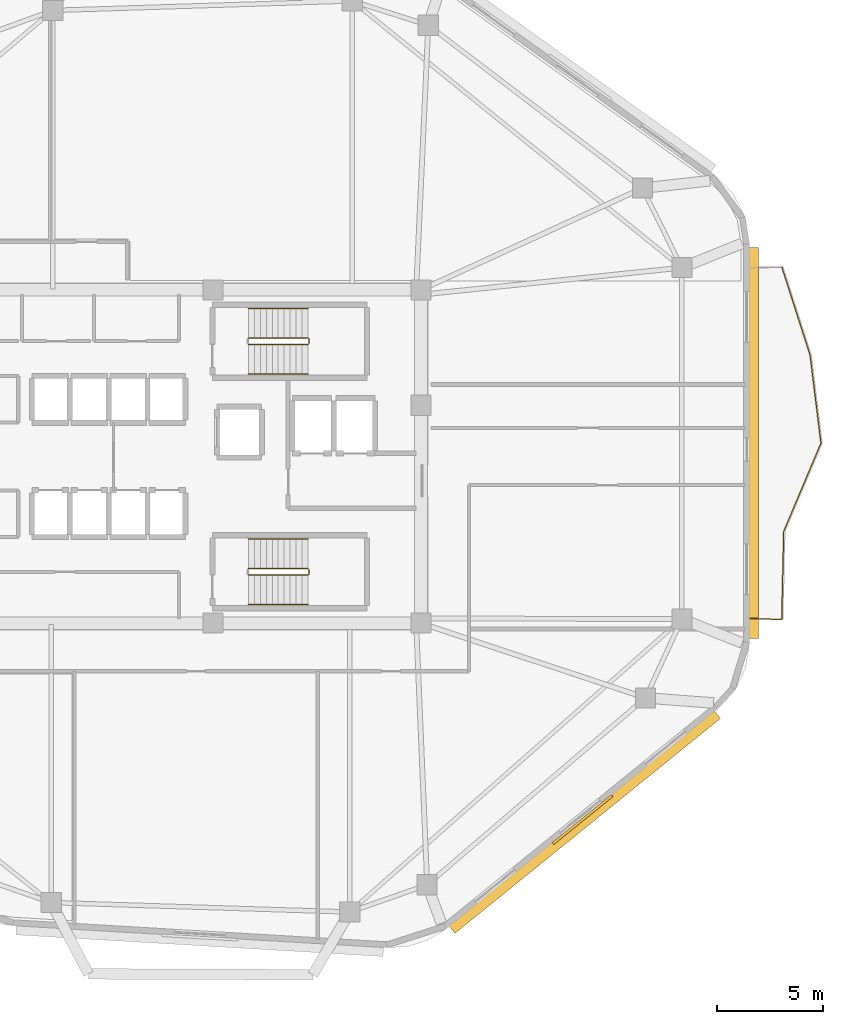
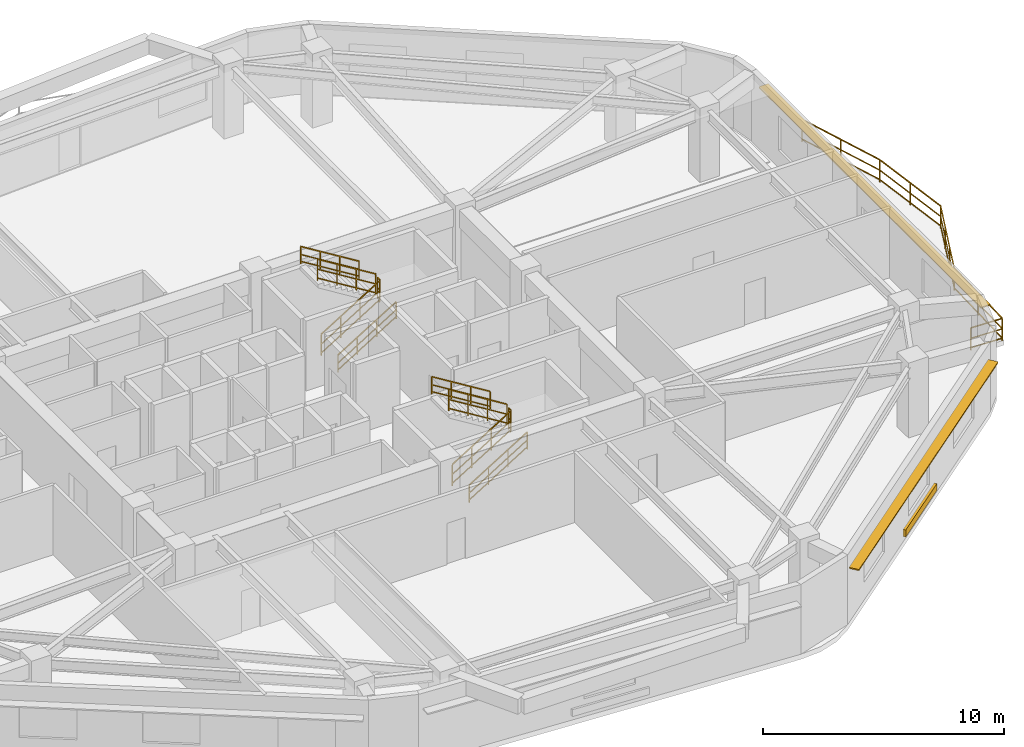
# One storey, part 8 of 9: 15 railings, 3 shading devices.
"""IFC4 building model written with IfcOpenShell, lengths in metres."""

import ifcopenshell
import ifcopenshell.guid

model = None  # the IFC model being written
_history = None  # IfcOwnerHistory: only IFC2X3 demands one
_inside = {}  # id of a spatial element -> (the spatial element, [elements in it])
_under = {}  # id of a project, library or spatial element -> (it, [spatial elements below it])
_declared = {}  # id of a project -> (the project, [libraries it declares])
_typed = {}  # id of a type object -> (the type object, [elements of that type])
_made_of = {}  # id of a material, layer set ... -> (it, [elements and type objects made of it])


def new_model(schema):
    """Start an empty IFC model of exactly this schema.

    Asked for "IFC4X3", IfcOpenShell would pick the latest addendum, in which some entities
    have other attributes; the version numbers below select the first issue.
    IFC2X3 requires an IfcOwnerHistory on every rooted entity: one is made here for all.
    """
    global model, _history
    if schema == "IFC4X3":
        model = ifcopenshell.file(schema_version=(4, 3, 0, 0))
    else:
        model = ifcopenshell.file(schema=schema)
    _inside.clear()
    _under.clear()
    _declared.clear()
    _typed.clear()
    _made_of.clear()
    _history = None
    if model.schema == "IFC2X3":
        org = make("IfcOrganization", Name="unknown")
        user = make(
            "IfcPersonAndOrganization",
            ThePerson=make("IfcPerson", FamilyName="unknown"),
            TheOrganization=org,
        )
        app = make(
            "IfcApplication",
            ApplicationDeveloper=org,
            Version="unknown",
            ApplicationFullName="unknown",
            ApplicationIdentifier="unknown",
        )
        _history = make(
            "IfcOwnerHistory",
            OwningUser=user,
            OwningApplication=app,
            ChangeAction="ADDED",
            CreationDate=0,
        )
    return model


def make(cls, **values):
    """One entity of the class cls with the attributes given. An attribute that is None is left unset."""
    return model.create_entity(
        cls, **{name: value for name, value in values.items() if value is not None}
    )


def rooted(cls, **values):
    """An entity with a GlobalId (a new one), such as an element, a storey or a relation."""
    return make(cls, GlobalId=ifcopenshell.guid.new(), OwnerHistory=_history, **values)


def si_unit(unit_type, name, prefix=None):
    """IfcSIUnit, for example si_unit("LENGTHUNIT", "METRE", prefix="MILLI")."""
    return make("IfcSIUnit", UnitType=unit_type, Prefix=prefix, Name=name)


def assignment(units):
    """IfcUnitAssignment: the units of a project."""
    return None if units is None else make("IfcUnitAssignment", Units=units)


def point(xyz):
    """IfcCartesianPoint."""
    return None if xyz is None else make("IfcCartesianPoint", Coordinates=xyz)


def direction(xyz):
    """IfcDirection."""
    return None if xyz is None else make("IfcDirection", DirectionRatios=xyz)


def frame(location, z_axis=None, x_axis=None):
    """IfcAxis2Placement3D, a coordinate frame: its origin and axes. An axis left out is left unset."""
    return make(
        "IfcAxis2Placement3D",
        Location=point(location),
        Axis=direction(z_axis),
        RefDirection=direction(x_axis),
    )


def frame_2d(location, x_axis=None):
    """IfcAxis2Placement2D, a coordinate frame in the plane: its origin and x axis."""
    return make(
        "IfcAxis2Placement2D", Location=point(location), RefDirection=direction(x_axis)
    )


def origin():
    """The frame at (0, 0, 0) with its axes left unset."""
    return frame((0.0, 0.0, 0.0))


def origin_2d():
    """The frame at (0, 0) in the plane with its x axis left unset."""
    return frame_2d((0.0, 0.0))


def place(relative_to, where):
    """IfcLocalPlacement: puts the frame where relative to a parent placement (None: the world)."""
    return make(
        "IfcLocalPlacement", PlacementRelTo=relative_to, RelativePlacement=where
    )


def context(
    kind, dimensions, precision=None, world=None, true_north=None, identifier=None
):
    """IfcGeometricRepresentationContext, for example the 3D "Model" context."""
    return make(
        "IfcGeometricRepresentationContext",
        ContextIdentifier=identifier,
        ContextType=kind,
        CoordinateSpaceDimension=dimensions,
        Precision=precision,
        WorldCoordinateSystem=world,
        TrueNorth=true_north,
    )


def subcontext(parent, identifier, kind, view, scale=None):
    """IfcGeometricRepresentationSubContext, for example "Body" below "Model"."""
    return make(
        "IfcGeometricRepresentationSubContext",
        ContextIdentifier=identifier,
        ContextType=kind,
        ParentContext=parent,
        TargetScale=scale,
        TargetView=view,
    )


def project(units=None, contexts=None):
    """IfcProject with its units and contexts."""
    return rooted(
        "IfcProject",
        Name="project",
        RepresentationContexts=contexts,
        UnitsInContext=assignment(units),
    )


def spatial(cls, under=None, at=None, **own):
    """A site, building, storey or space (cls), placed at a placement, below another one or the project."""
    s = rooted(cls, ObjectPlacement=at, **own)
    if under is not None:
        _under.setdefault(under.id(), (under, []))[1].append(s)
    return s


def profile(cls, at=None, kind="AREA", **sizes):
    """A parametric profile (cls). Its sizes go by their IFC names, for example OverallWidth=200.0."""
    return make(cls, ProfileType=kind, Position=at, **sizes)


def rectangle(**sizes):
    """IfcRectangleProfileDef."""
    return profile("IfcRectangleProfileDef", **sizes)


def extrude(swept, where, along, depth):
    """IfcExtrudedAreaSolid: the profile swept, set in the frame where, extruded along a direction by depth."""
    return make(
        "IfcExtrudedAreaSolid",
        SweptArea=swept,
        Position=where,
        ExtrudedDirection=direction(along),
        Depth=depth,
    )


def shape(context_of_items, identifier, shape_type, items):
    """IfcShapeRepresentation: the items that make up one representation, for example the "Body"."""
    return make(
        "IfcShapeRepresentation",
        ContextOfItems=context_of_items,
        RepresentationIdentifier=identifier,
        RepresentationType=shape_type,
        Items=items,
    )


def material(Name=None, Category=None):
    """IfcMaterial."""
    return make("IfcMaterial", Name=Name, Category=Category)


def layer(
    of_material, thickness, ventilated=None, Name=None, Category=None, Priority=None
):
    """IfcMaterialLayer: one layer of a wall or slab, of a material (None: an air gap)."""
    return make(
        "IfcMaterialLayer",
        Material=of_material,
        LayerThickness=thickness,
        IsVentilated=ventilated,
        Name=Name,
        Category=Category,
        Priority=Priority,
    )


def layer_set(layers, Name=None):
    """IfcMaterialLayerSet."""
    return make("IfcMaterialLayerSet", MaterialLayers=layers, LayerSetName=Name)


def made_of(thing, what):
    """Note that an element or type object is made of a material, layer set ...; save() writes the relation."""
    if what is not None:
        _made_of.setdefault(what.id(), (what, []))[1].append(thing)
    return thing


def type_object(cls, material=None, **own):
    """A type object (cls), such as IfcWallType, which elements share."""
    return made_of(rooted(cls, **own), material)


def element(
    cls,
    number,
    at=None,
    inside=None,
    cuts=None,
    type_object=None,
    material=None,
    context=None,
    identifier="Body",
    shape_type=None,
    held_by="IfcProductDefinitionShape",
    body=None,
    shapes=None,
    **own,
):
    """One element of the class cls, such as IfcWall. Its Tag is "e" and its number.

    at: its placement. inside: the storey or other place that contains it. cuts: it is an
    opening in that element (IfcRelVoidsElement). A single representation is given by context,
    identifier, shape_type and body (its items); several are given by shapes. held_by: the class
    of the entity that holds the representations. save() writes the other relations.
    """
    e = rooted(cls, Tag="e%d" % number, ObjectPlacement=at, **own)
    if body is not None:
        shapes = [shape(context, identifier, shape_type, body)]
    if shapes is not None:
        e.Representation = make(held_by, Representations=shapes)
    if inside is not None:
        _inside.setdefault(inside.id(), (inside, []))[1].append(e)
    if cuts is not None:
        rooted(
            "IfcRelVoidsElement", RelatingBuildingElement=cuts, RelatedOpeningElement=e
        )
    if type_object is not None:
        _typed.setdefault(type_object.id(), (type_object, []))[1].append(e)
    return made_of(e, material)


def aggregate(whole, parts):
    """IfcRelAggregates: a whole, such as a stair, and the parts it consists of."""
    return rooted("IfcRelAggregates", RelatingObject=whole, RelatedObjects=parts)


def save(model, path):
    """Write the relations noted so far, then the file.

    IfcRelAggregates (storeys below a building ...), IfcRelContainedInSpatialStructure (elements
    in a storey), IfcRelDefinesByType, IfcRelAssociatesMaterial and IfcRelDeclares: one each for
    every whole, place, type object, material and project.
    """
    for whole, parts in _under.values():
        aggregate(whole, parts)
    for where, things in _inside.values():
        rooted(
            "IfcRelContainedInSpatialStructure",
            RelatedElements=things,
            RelatingStructure=where,
        )
    for kind, things in _typed.values():
        rooted("IfcRelDefinesByType", RelatedObjects=things, RelatingType=kind)
    for what, things in _made_of.values():
        rooted("IfcRelAssociatesMaterial", RelatedObjects=things, RelatingMaterial=what)
    for by, libraries in _declared.values():
        rooted("IfcRelDeclares", RelatingContext=by, RelatedDefinitions=libraries)
    model.write(path)


model = new_model("IFC4")

# Units and contexts
model_context = context("Model", 3, precision=1e-05, world=origin(), true_north=direction((0.0, 1.0)))
body_context = subcontext(model_context, "Body", "Model", "MODEL_VIEW")
ifc_project = project(units=[si_unit("LENGTHUNIT", "METRE"), si_unit("AREAUNIT", "SQUARE_METRE"), si_unit("VOLUMEUNIT", "CUBIC_METRE"), si_unit("PLANEANGLEUNIT", "RADIAN"), si_unit("MASSUNIT", "GRAM", prefix="KILO")], contexts=[model_context])

# Site, building, storey
site_placement = place(None, origin())
site = spatial("IfcSite", under=ifc_project, at=site_placement, CompositionType="ELEMENT")
building_placement = place(site_placement, origin())
building = spatial("IfcBuilding", under=site, at=building_placement, Name="Zulverin Broadcast Headquarters", CompositionType="ELEMENT")
storey_placement = place(building_placement, frame((0.0, 0.0, 197.199951171875)))
storey = spatial("IfcBuildingStorey", under=building, at=storey_placement, Name="L50", CompositionType="ELEMENT", Elevation=197.199951171875)

# Railings
ifc_material_1 = material(Name="Brushed stainless steel & laminated glass balustrade", Category="steel")
railing_type_1 = type_object("IfcRailingType", Name="RL-GUARD-1150", PredefinedType="GUARDRAIL", material=ifc_material_1)
railing_1_placement = place(storey_placement, frame((63.840087890625, 17.55029296875, 0.0)))
element("IfcRailing", 1, at=railing_1_placement, inside=storey, type_object=railing_type_1, Name="L50 Vertical-Forest Balcony Guardrail BAL_E Segment 01", PredefinedType="GUARDRAIL", context=body_context, shape_type="SweptSolid", body=[
    extrude(rectangle(XDim=0.048095703125, YDim=0.048095703125, at=origin_2d()), frame((0.0, 0.0, 1.1259765625), z_axis=(0.99918088253, -0.040466825742, 0.0), x_axis=(0.040466825742, 0.99918088253, 0.0)), (0.0, 0.0, 1.0), 1.466064453125),
    extrude(rectangle(XDim=0.0419921875, YDim=0.0419921875, at=origin_2d()), frame((0.0, 0.0, 0.597900390625), z_axis=(0.99918088253, -0.040466825742, 0.0), x_axis=(0.040466825742, 0.99918088253, 0.0)), (0.0, 0.0, 1.0), 1.466064453125),
    extrude(rectangle(XDim=0.0419921875, YDim=0.0419921875, at=origin_2d()), frame((0.0, 0.0, 0.1201171875), z_axis=(0.99918088253, -0.040466825742, 0.0), x_axis=(0.040466825742, 0.99918088253, 0.0)), (0.0, 0.0, 1.0), 1.466064453125),
    extrude(rectangle(XDim=0.0419921875, YDim=0.0419921875, at=origin_2d()), origin(), (0.0, 0.0, 1.0), 1.101806640625),
    extrude(rectangle(XDim=0.0419921875, YDim=0.0419921875, at=origin_2d()), frame((1.46484375, -0.059326171875, 0.0)), (0.0, 0.0, 1.0), 1.101806640625),
])
railing_2_placement = place(storey_placement, frame((65.3203125, 17.50537109375, 0.0)))
element("IfcRailing", 2, at=railing_2_placement, inside=storey, type_object=railing_type_1, Name="L50 Vertical-Forest Balcony Guardrail BAL_E Segment 02", PredefinedType="GUARDRAIL", context=body_context, shape_type="SweptSolid", body=[
    extrude(rectangle(XDim=0.048095703125, YDim=0.048095703125, at=origin_2d()), frame((0.0, 0.0, 1.1259765625), z_axis=(0.022527166891, 0.999746231177, 0.0), x_axis=(-0.999746231177, 0.022527166891, 0.0)), (0.0, 0.0, 1.0), 4.139892578125),
    extrude(rectangle(XDim=0.0419921875, YDim=0.0419921875, at=origin_2d()), frame((0.0, 0.0, 0.597900390625), z_axis=(0.022527166891, 0.999746231177, 0.0), x_axis=(-0.999746231177, 0.022527166891, 0.0)), (0.0, 0.0, 1.0), 4.139892578125),
    extrude(rectangle(XDim=0.0419921875, YDim=0.0419921875, at=origin_2d()), frame((0.0, 0.0, 0.1201171875), z_axis=(0.022527166891, 0.999746231177, 0.0), x_axis=(-0.999746231177, 0.022527166891, 0.0)), (0.0, 0.0, 1.0), 4.139892578125),
    extrude(rectangle(XDim=0.0419921875, YDim=0.0419921875, at=origin_2d()), origin(), (0.0, 0.0, 1.0), 1.101806640625),
    extrude(rectangle(XDim=0.0419921875, YDim=0.0419921875, at=origin_2d()), frame((0.046630859375, 2.0693359375, 0.0)), (0.0, 0.0, 1.0), 1.101806640625),
    extrude(rectangle(XDim=0.0419921875, YDim=0.0419921875, at=origin_2d()), frame((0.09326171875, 4.138916015625, 0.0)), (0.0, 0.0, 1.0), 1.101806640625),
])
railing_3_placement = place(storey_placement, frame((65.419677734375, 21.673095703125, 0.0)))
element("IfcRailing", 3, at=railing_3_placement, inside=storey, type_object=railing_type_1, Name="L50 Vertical-Forest Balcony Guardrail BAL_E Segment 03", PredefinedType="GUARDRAIL", context=body_context, shape_type="SweptSolid", body=[
    extrude(rectangle(XDim=0.048095703125, YDim=0.048095703125, at=origin_2d()), frame((0.0, 0.0, 1.1259765625), z_axis=(0.388826575403, 0.921310965017, 0.0), x_axis=(-0.921310965017, 0.388826575403, 0.0)), (0.0, 0.0, 1.0), 4.4951171875),
    extrude(rectangle(XDim=0.0419921875, YDim=0.0419921875, at=origin_2d()), frame((0.0, 0.0, 0.597900390625), z_axis=(0.388826575403, 0.921310965017, 0.0), x_axis=(-0.921310965017, 0.388826575403, 0.0)), (0.0, 0.0, 1.0), 4.4951171875),
    extrude(rectangle(XDim=0.0419921875, YDim=0.0419921875, at=origin_2d()), frame((0.0, 0.0, 0.1201171875), z_axis=(0.388826575403, 0.921310965017, 0.0), x_axis=(-0.921310965017, 0.388826575403, 0.0)), (0.0, 0.0, 1.0), 4.4951171875),
    extrude(rectangle(XDim=0.0419921875, YDim=0.0419921875, at=origin_2d()), origin(), (0.0, 0.0, 1.0), 1.101806640625),
    extrude(rectangle(XDim=0.0419921875, YDim=0.0419921875, at=origin_2d()), frame((0.58251953125, 1.38037109375, 0.0)), (0.0, 0.0, 1.0), 1.101806640625),
    extrude(rectangle(XDim=0.0419921875, YDim=0.0419921875, at=origin_2d()), frame((1.165283203125, 2.760986328125, 0.0)), (0.0, 0.0, 1.0), 1.101806640625),
    extrude(rectangle(XDim=0.0419921875, YDim=0.0419921875, at=origin_2d()), frame((1.747802734375, 4.141357421875, 0.0)), (0.0, 0.0, 1.0), 1.101806640625),
])
railing_4_placement = place(storey_placement, frame((67.17138671875, 25.84326171875, 0.0)))
element("IfcRailing", 4, at=railing_4_placement, inside=storey, type_object=railing_type_1, Name="L50 Vertical-Forest Balcony Guardrail BAL_E Segment 04", PredefinedType="GUARDRAIL", context=body_context, shape_type="SweptSolid", body=[
    extrude(rectangle(XDim=0.048095703125, YDim=0.048095703125, at=origin_2d()), frame((0.0, 0.0, 1.1259765625), z_axis=(-0.122636906536, 0.992451605447, 0.0), x_axis=(-0.992451605447, -0.122636906536, 0.0)), (0.0, 0.0, 1.0), 4.170654296875),
    extrude(rectangle(XDim=0.0419921875, YDim=0.0419921875, at=origin_2d()), frame((0.0, 0.0, 0.597900390625), z_axis=(-0.122636906536, 0.992451605447, 0.0), x_axis=(-0.992451605447, -0.122636906536, 0.0)), (0.0, 0.0, 1.0), 4.170654296875),
    extrude(rectangle(XDim=0.0419921875, YDim=0.0419921875, at=origin_2d()), frame((0.0, 0.0, 0.1201171875), z_axis=(-0.122636906536, 0.992451605447, 0.0), x_axis=(-0.992451605447, -0.122636906536, 0.0)), (0.0, 0.0, 1.0), 4.170654296875),
    extrude(rectangle(XDim=0.0419921875, YDim=0.0419921875, at=origin_2d()), origin(), (0.0, 0.0, 1.0), 1.101806640625),
    extrude(rectangle(XDim=0.0419921875, YDim=0.0419921875, at=origin_2d()), frame((-0.255859375, 2.069580078125, 0.0)), (0.0, 0.0, 1.0), 1.101806640625),
    extrude(rectangle(XDim=0.0419921875, YDim=0.0419921875, at=origin_2d()), frame((-0.511474609375, 4.13916015625, 0.0)), (0.0, 0.0, 1.0), 1.101806640625),
])
railing_5_placement = place(storey_placement, frame((66.653564453125, 30.01171875, 0.0)))
element("IfcRailing", 5, at=railing_5_placement, inside=storey, type_object=railing_type_1, Name="L50 Vertical-Forest Balcony Guardrail BAL_E Segment 05", PredefinedType="GUARDRAIL", context=body_context, shape_type="SweptSolid", body=[
    extrude(rectangle(XDim=0.048095703125, YDim=0.048095703125, at=origin_2d()), frame((0.0, 0.0, 1.1259765625), z_axis=(-0.305612938085, 0.952155833924, 0.0), x_axis=(-0.952155833924, -0.305612938085, 0.0)), (0.0, 0.0, 1.0), 4.34814453125),
    extrude(rectangle(XDim=0.0419921875, YDim=0.0419921875, at=origin_2d()), frame((0.0, 0.0, 0.597900390625), z_axis=(-0.305612938085, 0.952155833924, 0.0), x_axis=(-0.952155833924, -0.305612938085, 0.0)), (0.0, 0.0, 1.0), 4.34814453125),
    extrude(rectangle(XDim=0.0419921875, YDim=0.0419921875, at=origin_2d()), frame((0.0, 0.0, 0.1201171875), z_axis=(-0.305612938085, 0.952155833924, 0.0), x_axis=(-0.952155833924, -0.305612938085, 0.0)), (0.0, 0.0, 1.0), 4.34814453125),
    extrude(rectangle(XDim=0.0419921875, YDim=0.0419921875, at=origin_2d()), origin(), (0.0, 0.0, 1.0), 1.101806640625),
    extrude(rectangle(XDim=0.0419921875, YDim=0.0419921875, at=origin_2d()), frame((-0.66455078125, 2.070068359375, 0.0)), (0.0, 0.0, 1.0), 1.101806640625),
    extrude(rectangle(XDim=0.0419921875, YDim=0.0419921875, at=origin_2d()), frame((-1.328857421875, 4.14013671875, 0.0)), (0.0, 0.0, 1.0), 1.101806640625),
])
ifc_material_2 = material(Name="Painted galvanized steel tubular guardrail S355JR", Category="steel")
railing_type_2 = type_object("IfcRailingType", Name="RL-ST-GUARD", PredefinedType="GUARDRAIL", material=ifc_material_2)
railing_6_placement = place(storey_placement, frame((40.1298828125, 30.5, 0.1728515625)))
element("IfcRailing", 6, at=railing_6_placement, inside=storey, type_object=railing_type_2, Name="L50 ST-1 stair guard 1", PredefinedType="GUARDRAIL", context=body_context, shape_type="SweptSolid", body=[
    extrude(rectangle(XDim=0.048095703125, YDim=0.048095703125, at=origin_2d()), frame((0.0, 0.0, 1.076171875), z_axis=(0.851089632645, 0.0, 0.525020415988), x_axis=(0.0, 1.0, 0.0)), (0.0, 0.0, 1.0), 3.2900390625),
    extrude(rectangle(XDim=0.0419921875, YDim=0.0419921875, at=origin_2d()), frame((0.0, 0.0, 0.572021484375), z_axis=(0.851089632645, 0.0, 0.525020415988), x_axis=(0.0, 1.0, 0.0)), (0.0, 0.0, 1.0), 3.2900390625),
    extrude(rectangle(XDim=0.0419921875, YDim=0.0419921875, at=origin_2d()), frame((0.0, 0.0, 0.1201171875), z_axis=(0.851089632645, 0.0, 0.525020415988), x_axis=(0.0, 1.0, 0.0)), (0.0, 0.0, 1.0), 3.2900390625),
    extrude(rectangle(XDim=0.0419921875, YDim=0.0419921875, at=origin_2d()), origin(), (0.0, 0.0, 1.0), 1.052001953125),
    extrude(rectangle(XDim=0.0419921875, YDim=0.0419921875, at=origin_2d()), frame((0.933349609375, 0.0, 0.57568359375)), (0.0, 0.0, 1.0), 1.052001953125),
    extrude(rectangle(XDim=0.0419921875, YDim=0.0419921875, at=origin_2d()), frame((1.86669921875, 0.0, 1.151611328125)), (0.0, 0.0, 1.0), 1.052001953125),
    extrude(rectangle(XDim=0.0419921875, YDim=0.0419921875, at=origin_2d()), frame((2.800048828125, 0.0, 1.727294921875)), (0.0, 0.0, 1.0), 1.052001953125),
])
railing_7_placement = place(storey_placement, frame((42.97998046875, 30.550048828125, 1.900146484375)))
element("IfcRailing", 7, at=railing_7_placement, inside=storey, type_object=railing_type_2, Name="L50 ST-1 stair guard 2", PredefinedType="GUARDRAIL", context=body_context, shape_type="SweptSolid", body=[
    extrude(rectangle(XDim=0.048095703125, YDim=0.048095703125, at=origin_2d()), frame((0.0, 0.0, 1.076171875), z_axis=(0.0, 1.0, 0.0), x_axis=(-1.0, 0.0, 0.0)), (0.0, 0.0, 1.0), 0.199951171875),
    extrude(rectangle(XDim=0.0419921875, YDim=0.0419921875, at=origin_2d()), frame((0.0, 0.0, 0.572021484375), z_axis=(0.0, 1.0, 0.0), x_axis=(-1.0, 0.0, 0.0)), (0.0, 0.0, 1.0), 0.199951171875),
    extrude(rectangle(XDim=0.0419921875, YDim=0.0419921875, at=origin_2d()), frame((0.0, 0.0, 0.1201171875), z_axis=(0.0, 1.0, 0.0), x_axis=(-1.0, 0.0, 0.0)), (0.0, 0.0, 1.0), 0.199951171875),
    extrude(rectangle(XDim=0.0419921875, YDim=0.0419921875, at=origin_2d()), origin(), (0.0, 0.0, 1.0), 1.052001953125),
    extrude(rectangle(XDim=0.0419921875, YDim=0.0419921875, at=origin_2d()), frame((0.0, 0.199951171875, 0.0)), (0.0, 0.0, 1.0), 1.052001953125),
])
railing_8_placement = place(storey_placement, frame((42.929931640625, 30.800048828125, 2.07275390625)))
element("IfcRailing", 8, at=railing_8_placement, inside=storey, type_object=railing_type_2, Name="L50 ST-1 stair guard 3", PredefinedType="GUARDRAIL", context=body_context, shape_type="SweptSolid", body=[
    extrude(rectangle(XDim=0.048095703125, YDim=0.048095703125, at=origin_2d()), frame((0.0, 0.0, 1.076171875), z_axis=(-0.851089632645, 0.0, 0.525020415988), x_axis=(0.0, -1.0, 0.0)), (0.0, 0.0, 1.0), 3.2900390625),
    extrude(rectangle(XDim=0.0419921875, YDim=0.0419921875, at=origin_2d()), frame((0.0, 0.0, 0.572021484375), z_axis=(-0.851089632645, 0.0, 0.525020415988), x_axis=(0.0, -1.0, 0.0)), (0.0, 0.0, 1.0), 3.2900390625),
    extrude(rectangle(XDim=0.0419921875, YDim=0.0419921875, at=origin_2d()), frame((0.0, 0.0, 0.1201171875), z_axis=(-0.851089632645, 0.0, 0.525020415988), x_axis=(0.0, -1.0, 0.0)), (0.0, 0.0, 1.0), 3.2900390625),
    extrude(rectangle(XDim=0.0419921875, YDim=0.0419921875, at=origin_2d()), origin(), (0.0, 0.0, 1.0), 1.052001953125),
    extrude(rectangle(XDim=0.0419921875, YDim=0.0419921875, at=origin_2d()), frame((-0.933349609375, 0.0, 0.57568359375)), (0.0, 0.0, 1.0), 1.052001953125),
    extrude(rectangle(XDim=0.0419921875, YDim=0.0419921875, at=origin_2d()), frame((-1.86669921875, 0.0, 1.151611328125)), (0.0, 0.0, 1.0), 1.052001953125),
    extrude(rectangle(XDim=0.0419921875, YDim=0.0419921875, at=origin_2d()), frame((-2.800048828125, 0.0, 1.727294921875)), (0.0, 0.0, 1.0), 1.052001953125),
])
railing_9_placement = place(storey_placement, frame((40.1298828125, 19.60009765625, 0.1728515625)))
element("IfcRailing", 9, at=railing_9_placement, inside=storey, type_object=railing_type_2, Name="L50 ST-2 stair guard 1", PredefinedType="GUARDRAIL", context=body_context, shape_type="SweptSolid", body=[
    extrude(rectangle(XDim=0.048095703125, YDim=0.048095703125, at=origin_2d()), frame((0.0, 0.0, 1.076171875), z_axis=(0.851089632645, 0.0, 0.525020415988), x_axis=(0.0, 1.0, 0.0)), (0.0, 0.0, 1.0), 3.2900390625),
    extrude(rectangle(XDim=0.0419921875, YDim=0.0419921875, at=origin_2d()), frame((0.0, 0.0, 0.572021484375), z_axis=(0.851089632645, 0.0, 0.525020415988), x_axis=(0.0, 1.0, 0.0)), (0.0, 0.0, 1.0), 3.2900390625),
    extrude(rectangle(XDim=0.0419921875, YDim=0.0419921875, at=origin_2d()), frame((0.0, 0.0, 0.1201171875), z_axis=(0.851089632645, 0.0, 0.525020415988), x_axis=(0.0, 1.0, 0.0)), (0.0, 0.0, 1.0), 3.2900390625),
    extrude(rectangle(XDim=0.0419921875, YDim=0.0419921875, at=origin_2d()), origin(), (0.0, 0.0, 1.0), 1.052001953125),
    extrude(rectangle(XDim=0.0419921875, YDim=0.0419921875, at=origin_2d()), frame((0.933349609375, 0.0, 0.57568359375)), (0.0, 0.0, 1.0), 1.052001953125),
    extrude(rectangle(XDim=0.0419921875, YDim=0.0419921875, at=origin_2d()), frame((1.86669921875, 0.0, 1.151611328125)), (0.0, 0.0, 1.0), 1.052001953125),
    extrude(rectangle(XDim=0.0419921875, YDim=0.0419921875, at=origin_2d()), frame((2.800048828125, 0.0, 1.727294921875)), (0.0, 0.0, 1.0), 1.052001953125),
])
railing_10_placement = place(storey_placement, frame((42.97998046875, 19.64990234375, 1.900146484375)))
element("IfcRailing", 10, at=railing_10_placement, inside=storey, type_object=railing_type_2, Name="L50 ST-2 stair guard 2", PredefinedType="GUARDRAIL", context=body_context, shape_type="SweptSolid", body=[
    extrude(rectangle(XDim=0.048095703125, YDim=0.048095703125, at=origin_2d()), frame((0.0, 0.0, 1.076171875), z_axis=(0.0, 1.0, 0.0), x_axis=(-1.0, 0.0, 0.0)), (0.0, 0.0, 1.0), 0.2001953125),
    extrude(rectangle(XDim=0.0419921875, YDim=0.0419921875, at=origin_2d()), frame((0.0, 0.0, 0.572021484375), z_axis=(0.0, 1.0, 0.0), x_axis=(-1.0, 0.0, 0.0)), (0.0, 0.0, 1.0), 0.2001953125),
    extrude(rectangle(XDim=0.0419921875, YDim=0.0419921875, at=origin_2d()), frame((0.0, 0.0, 0.1201171875), z_axis=(0.0, 1.0, 0.0), x_axis=(-1.0, 0.0, 0.0)), (0.0, 0.0, 1.0), 0.2001953125),
    extrude(rectangle(XDim=0.0419921875, YDim=0.0419921875, at=origin_2d()), origin(), (0.0, 0.0, 1.0), 1.052001953125),
    extrude(rectangle(XDim=0.0419921875, YDim=0.0419921875, at=origin_2d()), frame((0.0, 0.2001953125, 0.0)), (0.0, 0.0, 1.0), 1.052001953125),
])
railing_11_placement = place(storey_placement, frame((42.929931640625, 19.89990234375, 2.07275390625)))
element("IfcRailing", 11, at=railing_11_placement, inside=storey, type_object=railing_type_2, Name="L50 ST-2 stair guard 3", PredefinedType="GUARDRAIL", context=body_context, shape_type="SweptSolid", body=[
    extrude(rectangle(XDim=0.048095703125, YDim=0.048095703125, at=origin_2d()), frame((0.0, 0.0, 1.076171875), z_axis=(-0.851089632645, 0.0, 0.525020415988), x_axis=(0.0, -1.0, 0.0)), (0.0, 0.0, 1.0), 3.2900390625),
    extrude(rectangle(XDim=0.0419921875, YDim=0.0419921875, at=origin_2d()), frame((0.0, 0.0, 0.572021484375), z_axis=(-0.851089632645, 0.0, 0.525020415988), x_axis=(0.0, -1.0, 0.0)), (0.0, 0.0, 1.0), 3.2900390625),
    extrude(rectangle(XDim=0.0419921875, YDim=0.0419921875, at=origin_2d()), frame((0.0, 0.0, 0.1201171875), z_axis=(-0.851089632645, 0.0, 0.525020415988), x_axis=(0.0, -1.0, 0.0)), (0.0, 0.0, 1.0), 3.2900390625),
    extrude(rectangle(XDim=0.0419921875, YDim=0.0419921875, at=origin_2d()), origin(), (0.0, 0.0, 1.0), 1.052001953125),
    extrude(rectangle(XDim=0.0419921875, YDim=0.0419921875, at=origin_2d()), frame((-0.933349609375, 0.0, 0.57568359375)), (0.0, 0.0, 1.0), 1.052001953125),
    extrude(rectangle(XDim=0.0419921875, YDim=0.0419921875, at=origin_2d()), frame((-1.86669921875, 0.0, 1.151611328125)), (0.0, 0.0, 1.0), 1.052001953125),
    extrude(rectangle(XDim=0.0419921875, YDim=0.0419921875, at=origin_2d()), frame((-2.800048828125, 0.0, 1.727294921875)), (0.0, 0.0, 1.0), 1.052001953125),
])
ifc_material_3 = material(Name="Brushed stainless steel 48 mm handrail", Category="steel")
railing_type_3 = type_object("IfcRailingType", Name="RL-ST-HAND", PredefinedType="HANDRAIL", material=ifc_material_3)
railing_12_placement = place(storey_placement, frame((40.1298828125, 29.10009765625, 0.1728515625)))
element("IfcRailing", 12, at=railing_12_placement, inside=storey, type_object=railing_type_3, Name="L50 ST-1 stair handrail 1", PredefinedType="HANDRAIL", context=body_context, shape_type="SweptSolid", body=[
    extrude(rectangle(XDim=0.048095703125, YDim=0.048095703125, at=origin_2d()), frame((0.0, 0.0, 0.8759765625), z_axis=(0.851089632645, 0.0, 0.525020415988), x_axis=(0.0, 1.0, 0.0)), (0.0, 0.0, 1.0), 3.2900390625),
    extrude(rectangle(XDim=0.0419921875, YDim=0.0419921875, at=origin_2d()), frame((0.0, 0.0, 0.468017578125), z_axis=(0.851089632645, 0.0, 0.525020415988), x_axis=(0.0, 1.0, 0.0)), (0.0, 0.0, 1.0), 3.2900390625),
    extrude(rectangle(XDim=0.0419921875, YDim=0.0419921875, at=origin_2d()), frame((0.0, 0.0, 0.1201171875), z_axis=(0.851089632645, 0.0, 0.525020415988), x_axis=(0.0, 1.0, 0.0)), (0.0, 0.0, 1.0), 3.2900390625),
    extrude(rectangle(XDim=0.0419921875, YDim=0.0419921875, at=origin_2d()), origin(), (0.0, 0.0, 1.0), 0.851806640625),
    extrude(rectangle(XDim=0.0419921875, YDim=0.0419921875, at=origin_2d()), frame((0.933349609375, 0.0, 0.57568359375)), (0.0, 0.0, 1.0), 0.851806640625),
    extrude(rectangle(XDim=0.0419921875, YDim=0.0419921875, at=origin_2d()), frame((1.86669921875, 0.0, 1.151611328125)), (0.0, 0.0, 1.0), 0.851806640625),
    extrude(rectangle(XDim=0.0419921875, YDim=0.0419921875, at=origin_2d()), frame((2.800048828125, 0.0, 1.727294921875)), (0.0, 0.0, 1.0), 0.851806640625),
])
railing_13_placement = place(storey_placement, frame((42.929931640625, 32.199951171875, 2.07275390625)))
element("IfcRailing", 13, at=railing_13_placement, inside=storey, type_object=railing_type_3, Name="L50 ST-1 stair handrail 2", PredefinedType="HANDRAIL", context=body_context, shape_type="SweptSolid", body=[
    extrude(rectangle(XDim=0.048095703125, YDim=0.048095703125, at=origin_2d()), frame((0.0, 0.0, 0.8759765625), z_axis=(-0.851089632645, 0.0, 0.525020415988), x_axis=(0.0, -1.0, 0.0)), (0.0, 0.0, 1.0), 3.2900390625),
    extrude(rectangle(XDim=0.0419921875, YDim=0.0419921875, at=origin_2d()), frame((0.0, 0.0, 0.468017578125), z_axis=(-0.851089632645, 0.0, 0.525020415988), x_axis=(0.0, -1.0, 0.0)), (0.0, 0.0, 1.0), 3.2900390625),
    extrude(rectangle(XDim=0.0419921875, YDim=0.0419921875, at=origin_2d()), frame((0.0, 0.0, 0.1201171875), z_axis=(-0.851089632645, 0.0, 0.525020415988), x_axis=(0.0, -1.0, 0.0)), (0.0, 0.0, 1.0), 3.2900390625),
    extrude(rectangle(XDim=0.0419921875, YDim=0.0419921875, at=origin_2d()), origin(), (0.0, 0.0, 1.0), 0.851806640625),
    extrude(rectangle(XDim=0.0419921875, YDim=0.0419921875, at=origin_2d()), frame((-0.933349609375, 0.0, 0.57568359375)), (0.0, 0.0, 1.0), 0.851806640625),
    extrude(rectangle(XDim=0.0419921875, YDim=0.0419921875, at=origin_2d()), frame((-1.86669921875, 0.0, 1.151611328125)), (0.0, 0.0, 1.0), 0.851806640625),
    extrude(rectangle(XDim=0.0419921875, YDim=0.0419921875, at=origin_2d()), frame((-2.800048828125, 0.0, 1.727294921875)), (0.0, 0.0, 1.0), 0.851806640625),
])
railing_14_placement = place(storey_placement, frame((40.1298828125, 18.199951171875, 0.1728515625)))
element("IfcRailing", 14, at=railing_14_placement, inside=storey, type_object=railing_type_3, Name="L50 ST-2 stair handrail 1", PredefinedType="HANDRAIL", context=body_context, shape_type="SweptSolid", body=[
    extrude(rectangle(XDim=0.048095703125, YDim=0.048095703125, at=origin_2d()), frame((0.0, 0.0, 0.8759765625), z_axis=(0.851089632645, 0.0, 0.525020415988), x_axis=(0.0, 1.0, 0.0)), (0.0, 0.0, 1.0), 3.2900390625),
    extrude(rectangle(XDim=0.0419921875, YDim=0.0419921875, at=origin_2d()), frame((0.0, 0.0, 0.468017578125), z_axis=(0.851089632645, 0.0, 0.525020415988), x_axis=(0.0, 1.0, 0.0)), (0.0, 0.0, 1.0), 3.2900390625),
    extrude(rectangle(XDim=0.0419921875, YDim=0.0419921875, at=origin_2d()), frame((0.0, 0.0, 0.1201171875), z_axis=(0.851089632645, 0.0, 0.525020415988), x_axis=(0.0, 1.0, 0.0)), (0.0, 0.0, 1.0), 3.2900390625),
    extrude(rectangle(XDim=0.0419921875, YDim=0.0419921875, at=origin_2d()), origin(), (0.0, 0.0, 1.0), 0.851806640625),
    extrude(rectangle(XDim=0.0419921875, YDim=0.0419921875, at=origin_2d()), frame((0.933349609375, 0.0, 0.57568359375)), (0.0, 0.0, 1.0), 0.851806640625),
    extrude(rectangle(XDim=0.0419921875, YDim=0.0419921875, at=origin_2d()), frame((1.86669921875, 0.0, 1.151611328125)), (0.0, 0.0, 1.0), 0.851806640625),
    extrude(rectangle(XDim=0.0419921875, YDim=0.0419921875, at=origin_2d()), frame((2.800048828125, 0.0, 1.727294921875)), (0.0, 0.0, 1.0), 0.851806640625),
])
railing_15_placement = place(storey_placement, frame((42.929931640625, 21.300048828125, 2.07275390625)))
element("IfcRailing", 15, at=railing_15_placement, inside=storey, type_object=railing_type_3, Name="L50 ST-2 stair handrail 2", PredefinedType="HANDRAIL", context=body_context, shape_type="SweptSolid", body=[
    extrude(rectangle(XDim=0.048095703125, YDim=0.048095703125, at=origin_2d()), frame((0.0, 0.0, 0.8759765625), z_axis=(-0.851089632645, 0.0, 0.525020415988), x_axis=(0.0, -1.0, 0.0)), (0.0, 0.0, 1.0), 3.2900390625),
    extrude(rectangle(XDim=0.0419921875, YDim=0.0419921875, at=origin_2d()), frame((0.0, 0.0, 0.468017578125), z_axis=(-0.851089632645, 0.0, 0.525020415988), x_axis=(0.0, -1.0, 0.0)), (0.0, 0.0, 1.0), 3.2900390625),
    extrude(rectangle(XDim=0.0419921875, YDim=0.0419921875, at=origin_2d()), frame((0.0, 0.0, 0.1201171875), z_axis=(-0.851089632645, 0.0, 0.525020415988), x_axis=(0.0, -1.0, 0.0)), (0.0, 0.0, 1.0), 3.2900390625),
    extrude(rectangle(XDim=0.0419921875, YDim=0.0419921875, at=origin_2d()), origin(), (0.0, 0.0, 1.0), 0.851806640625),
    extrude(rectangle(XDim=0.0419921875, YDim=0.0419921875, at=origin_2d()), frame((-0.933349609375, 0.0, 0.57568359375)), (0.0, 0.0, 1.0), 0.851806640625),
    extrude(rectangle(XDim=0.0419921875, YDim=0.0419921875, at=origin_2d()), frame((-1.86669921875, 0.0, 1.151611328125)), (0.0, 0.0, 1.0), 0.851806640625),
    extrude(rectangle(XDim=0.0419921875, YDim=0.0419921875, at=origin_2d()), frame((-2.800048828125, 0.0, 1.727294921875)), (0.0, 0.0, 1.0), 0.851806640625),
])

# Shading devices
ifc_material_4 = material(Name="Anodized pale-metal aluminium acoustic louvre", Category="aluminium")
shading_device_type_1 = type_object("IfcShadingDeviceType", Name="SHD-LOUVRE-350", PredefinedType="USERDEFINED", material=ifc_material_4)
shading_device_1_placement = place(storey_placement, frame((55.913818359375, 8.047119140625, 0.2451171875), z_axis=(0.0, 0.0, 1.0), x_axis=(0.777274454694, 0.629161681987, 0.0)))
element("IfcShadingDevice", 16, at=shading_device_1_placement, inside=storey, type_object=shading_device_type_1, Name="L50 Spandrel Intake Louvre 2", ObjectType="LOUVRE", PredefinedType="USERDEFINED", context=body_context, shape_type="SweptSolid", body=[
    extrude(rectangle(XDim=3.60009765625, YDim=0.1201171875, at=origin_2d()), origin(), (0.0, 0.0, 1.0), 0.35009765625),
])
ifc_material_5 = material(Name="Anodized pale-metal aluminium sunshade", Category="aluminium")
ifc_layer = layer(ifc_material_5, 0.06005859375, Name="Anodized pale-metal aluminium sunshade", Category="aluminium")
ifc_layer_set = layer_set([ifc_layer], Name="Anodized pale-metal aluminium sunshade")
shading_device_type_2 = type_object("IfcShadingDeviceType", Name="SS-01_PALE_METAL_ALUMINIUM_SUNSHADE", PredefinedType="USERDEFINED", material=ifc_layer_set)
shading_device_2_placement = place(storey_placement, frame((56.014404296875, 7.922607421875, 2.7099609375), z_axis=(0.0, 0.0, 1.0), x_axis=(0.777274454694, 0.629161681987, 0.0)))
element("IfcShadingDevice", 17, at=shading_device_2_placement, inside=storey, type_object=shading_device_type_2, Name="L50 Horizontal Pale-Metal Sunshade Band 2", ObjectType="SUNSHADE", PredefinedType="USERDEFINED", context=body_context, shape_type="SweptSolid", body=[
    extrude(rectangle(XDim=16.139892578125, YDim=0.449951171875, at=origin_2d()), origin(), (0.0, 0.0, 1.0), 0.06005859375),
])
shading_device_3_placement = place(storey_placement, frame((64.0, 25.828369140625, 2.7099609375), z_axis=(0.0, 0.0, 1.0), x_axis=(0.0, 1.0, 0.0)))
element("IfcShadingDevice", 18, at=shading_device_3_placement, inside=storey, type_object=shading_device_type_2, Name="L50 Horizontal Pale-Metal Sunshade Band 3", ObjectType="SUNSHADE", PredefinedType="USERDEFINED", context=body_context, shape_type="SweptSolid", body=[
    extrude(rectangle(XDim=18.475830078125, YDim=0.449951171875, at=origin_2d()), origin(), (0.0, 0.0, 1.0), 0.06005859375),
])

save(model, "model.ifc")
